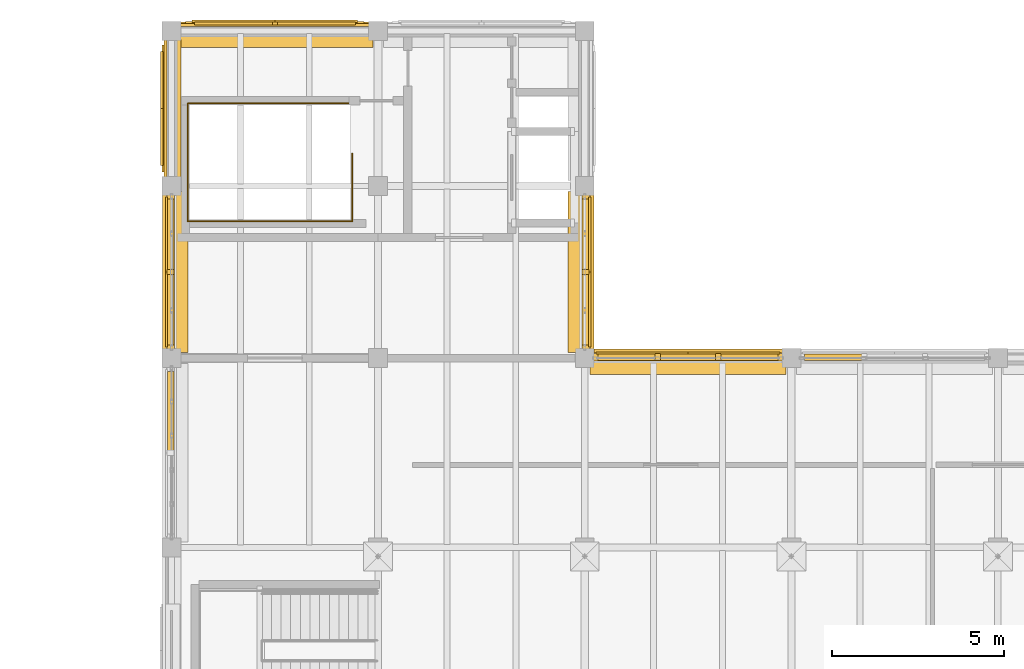
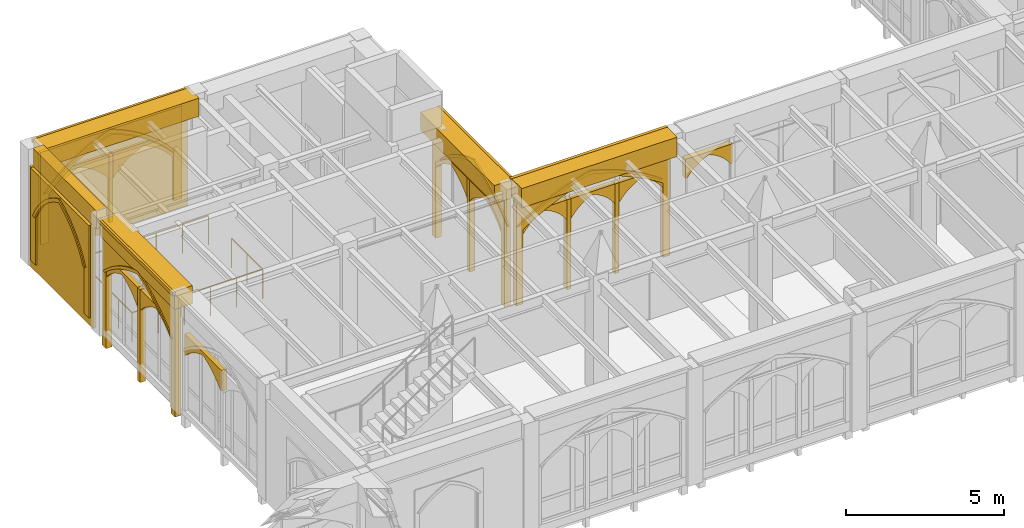
# One storey, part 91 of 108: 37 coverings, 1 railing.
"""IFC4 building model written with IfcOpenShell, lengths in metres."""

import ifcopenshell
import ifcopenshell.guid

model = None  # the IFC model being written
_history = None  # IfcOwnerHistory: only IFC2X3 demands one
_inside = {}  # id of a spatial element -> (the spatial element, [elements in it])
_under = {}  # id of a project, library or spatial element -> (it, [spatial elements below it])
_declared = {}  # id of a project -> (the project, [libraries it declares])
_typed = {}  # id of a type object -> (the type object, [elements of that type])
_made_of = {}  # id of a material, layer set ... -> (it, [elements and type objects made of it])


def new_model(schema):
    """Start an empty IFC model of exactly this schema.

    Asked for "IFC4X3", IfcOpenShell would pick the latest addendum, in which some entities
    have other attributes; the version numbers below select the first issue.
    IFC2X3 requires an IfcOwnerHistory on every rooted entity: one is made here for all.
    """
    global model, _history
    if schema == "IFC4X3":
        model = ifcopenshell.file(schema_version=(4, 3, 0, 0))
    else:
        model = ifcopenshell.file(schema=schema)
    _inside.clear()
    _under.clear()
    _declared.clear()
    _typed.clear()
    _made_of.clear()
    _history = None
    if model.schema == "IFC2X3":
        org = make("IfcOrganization", Name="unknown")
        user = make(
            "IfcPersonAndOrganization",
            ThePerson=make("IfcPerson", FamilyName="unknown"),
            TheOrganization=org,
        )
        app = make(
            "IfcApplication",
            ApplicationDeveloper=org,
            Version="unknown",
            ApplicationFullName="unknown",
            ApplicationIdentifier="unknown",
        )
        _history = make(
            "IfcOwnerHistory",
            OwningUser=user,
            OwningApplication=app,
            ChangeAction="ADDED",
            CreationDate=0,
        )
    return model


def make(cls, **values):
    """One entity of the class cls with the attributes given. An attribute that is None is left unset."""
    return model.create_entity(
        cls, **{name: value for name, value in values.items() if value is not None}
    )


def rooted(cls, **values):
    """An entity with a GlobalId (a new one), such as an element, a storey or a relation."""
    return make(cls, GlobalId=ifcopenshell.guid.new(), OwnerHistory=_history, **values)


def si_unit(unit_type, name, prefix=None):
    """IfcSIUnit, for example si_unit("LENGTHUNIT", "METRE", prefix="MILLI")."""
    return make("IfcSIUnit", UnitType=unit_type, Prefix=prefix, Name=name)


def assignment(units):
    """IfcUnitAssignment: the units of a project."""
    return None if units is None else make("IfcUnitAssignment", Units=units)


def point(xyz):
    """IfcCartesianPoint."""
    return None if xyz is None else make("IfcCartesianPoint", Coordinates=xyz)


def direction(xyz):
    """IfcDirection."""
    return None if xyz is None else make("IfcDirection", DirectionRatios=xyz)


def frame(location, z_axis=None, x_axis=None):
    """IfcAxis2Placement3D, a coordinate frame: its origin and axes. An axis left out is left unset."""
    return make(
        "IfcAxis2Placement3D",
        Location=point(location),
        Axis=direction(z_axis),
        RefDirection=direction(x_axis),
    )


def frame_2d(location, x_axis=None):
    """IfcAxis2Placement2D, a coordinate frame in the plane: its origin and x axis."""
    return make(
        "IfcAxis2Placement2D", Location=point(location), RefDirection=direction(x_axis)
    )


def origin():
    """The frame at (0, 0, 0) with its axes left unset."""
    return frame((0.0, 0.0, 0.0))


def origin_2d():
    """The frame at (0, 0) in the plane with its x axis left unset."""
    return frame_2d((0.0, 0.0))


def place(relative_to, where):
    """IfcLocalPlacement: puts the frame where relative to a parent placement (None: the world)."""
    return make(
        "IfcLocalPlacement", PlacementRelTo=relative_to, RelativePlacement=where
    )


def context(
    kind, dimensions, precision=None, world=None, true_north=None, identifier=None
):
    """IfcGeometricRepresentationContext, for example the 3D "Model" context."""
    return make(
        "IfcGeometricRepresentationContext",
        ContextIdentifier=identifier,
        ContextType=kind,
        CoordinateSpaceDimension=dimensions,
        Precision=precision,
        WorldCoordinateSystem=world,
        TrueNorth=true_north,
    )


def subcontext(parent, identifier, kind, view, scale=None):
    """IfcGeometricRepresentationSubContext, for example "Body" below "Model"."""
    return make(
        "IfcGeometricRepresentationSubContext",
        ContextIdentifier=identifier,
        ContextType=kind,
        ParentContext=parent,
        TargetScale=scale,
        TargetView=view,
    )


def project(units=None, contexts=None):
    """IfcProject with its units and contexts."""
    return rooted(
        "IfcProject",
        Name="project",
        RepresentationContexts=contexts,
        UnitsInContext=assignment(units),
    )


def spatial(cls, under=None, at=None, **own):
    """A site, building, storey or space (cls), placed at a placement, below another one or the project."""
    s = rooted(cls, ObjectPlacement=at, **own)
    if under is not None:
        _under.setdefault(under.id(), (under, []))[1].append(s)
    return s


def polyline(points):
    """IfcPolyline through the points."""
    return make("IfcPolyline", Points=[point(p) for p in points])


def profile(cls, at=None, kind="AREA", **sizes):
    """A parametric profile (cls). Its sizes go by their IFC names, for example OverallWidth=200.0."""
    return make(cls, ProfileType=kind, Position=at, **sizes)


def rectangle(**sizes):
    """IfcRectangleProfileDef."""
    return profile("IfcRectangleProfileDef", **sizes)


def circle(**sizes):
    """IfcCircleProfileDef."""
    return profile("IfcCircleProfileDef", **sizes)


def outline(outer, holes=None, kind="AREA"):
    """IfcArbitraryClosedProfileDef: a profile drawn as a closed curve; with holes, ...WithVoids."""
    if holes is None:
        return make("IfcArbitraryClosedProfileDef", ProfileType=kind, OuterCurve=outer)
    return make(
        "IfcArbitraryProfileDefWithVoids",
        ProfileType=kind,
        OuterCurve=outer,
        InnerCurves=holes,
    )


def extrude(swept, where, along, depth):
    """IfcExtrudedAreaSolid: the profile swept, set in the frame where, extruded along a direction by depth."""
    return make(
        "IfcExtrudedAreaSolid",
        SweptArea=swept,
        Position=where,
        ExtrudedDirection=direction(along),
        Depth=depth,
    )


def shape(context_of_items, identifier, shape_type, items):
    """IfcShapeRepresentation: the items that make up one representation, for example the "Body"."""
    return make(
        "IfcShapeRepresentation",
        ContextOfItems=context_of_items,
        RepresentationIdentifier=identifier,
        RepresentationType=shape_type,
        Items=items,
    )


def material(Name=None, Category=None):
    """IfcMaterial."""
    return make("IfcMaterial", Name=Name, Category=Category)


def made_of(thing, what):
    """Note that an element or type object is made of a material, layer set ...; save() writes the relation."""
    if what is not None:
        _made_of.setdefault(what.id(), (what, []))[1].append(thing)
    return thing


def type_object(cls, material=None, **own):
    """A type object (cls), such as IfcWallType, which elements share."""
    return made_of(rooted(cls, **own), material)


def element(
    cls,
    number,
    at=None,
    inside=None,
    cuts=None,
    type_object=None,
    material=None,
    context=None,
    identifier="Body",
    shape_type=None,
    held_by="IfcProductDefinitionShape",
    body=None,
    shapes=None,
    **own,
):
    """One element of the class cls, such as IfcWall. Its Tag is "e" and its number.

    at: its placement. inside: the storey or other place that contains it. cuts: it is an
    opening in that element (IfcRelVoidsElement). A single representation is given by context,
    identifier, shape_type and body (its items); several are given by shapes. held_by: the class
    of the entity that holds the representations. save() writes the other relations.
    """
    e = rooted(cls, Tag="e%d" % number, ObjectPlacement=at, **own)
    if body is not None:
        shapes = [shape(context, identifier, shape_type, body)]
    if shapes is not None:
        e.Representation = make(held_by, Representations=shapes)
    if inside is not None:
        _inside.setdefault(inside.id(), (inside, []))[1].append(e)
    if cuts is not None:
        rooted(
            "IfcRelVoidsElement", RelatingBuildingElement=cuts, RelatedOpeningElement=e
        )
    if type_object is not None:
        _typed.setdefault(type_object.id(), (type_object, []))[1].append(e)
    return made_of(e, material)


def aggregate(whole, parts):
    """IfcRelAggregates: a whole, such as a stair, and the parts it consists of."""
    return rooted("IfcRelAggregates", RelatingObject=whole, RelatedObjects=parts)


def save(model, path):
    """Write the relations noted so far, then the file.

    IfcRelAggregates (storeys below a building ...), IfcRelContainedInSpatialStructure (elements
    in a storey), IfcRelDefinesByType, IfcRelAssociatesMaterial and IfcRelDeclares: one each for
    every whole, place, type object, material and project.
    """
    for whole, parts in _under.values():
        aggregate(whole, parts)
    for where, things in _inside.values():
        rooted(
            "IfcRelContainedInSpatialStructure",
            RelatedElements=things,
            RelatingStructure=where,
        )
    for kind, things in _typed.values():
        rooted("IfcRelDefinesByType", RelatedObjects=things, RelatingType=kind)
    for what, things in _made_of.values():
        rooted("IfcRelAssociatesMaterial", RelatedObjects=things, RelatingMaterial=what)
    for by, libraries in _declared.values():
        rooted("IfcRelDeclares", RelatingContext=by, RelatedDefinitions=libraries)
    model.write(path)


model = new_model("IFC4")

# Units and contexts
model_context = context("Model", 3, precision=1e-05, world=origin(), true_north=direction((0.0, 1.0)))
body_context = subcontext(model_context, "Body", "Model", "MODEL_VIEW")
ifc_project = project(units=[si_unit("LENGTHUNIT", "METRE"), si_unit("AREAUNIT", "SQUARE_METRE"), si_unit("VOLUMEUNIT", "CUBIC_METRE"), si_unit("PLANEANGLEUNIT", "RADIAN"), si_unit("MASSUNIT", "GRAM", prefix="KILO")], contexts=[model_context])

# Site, building, storey
site_placement = place(None, origin())
site = spatial("IfcSite", under=ifc_project, at=site_placement, CompositionType="ELEMENT")
building_placement = place(site_placement, origin())
building = spatial("IfcBuilding", under=site, at=building_placement, Name="Cumevento Cable Car Station", CompositionType="ELEMENT")
storey_placement = place(building_placement, frame((0.0, 0.0, 13.5)))
storey = spatial("IfcBuildingStorey", under=building, at=storey_placement, Name="L04", CompositionType="ELEMENT", Elevation=13.5)

# Railing
ifc_material_1 = material(Name="Painted Galvanised Architectural Steel", Category="steel")
railing_type = type_object("IfcRailingType", Name="Stair Guardrail GR-S115", PredefinedType="GUARDRAIL", material=ifc_material_1)
railing_placement = place(storey_placement, frame((27.25, 62.43994140625, 0.0)))
element("IfcRailing", 1, at=railing_placement, inside=storey, type_object=railing_type, Name="Stairwell Opening Rim Guard ST-04-L03 L04", PredefinedType="GUARDRAIL", context=body_context, shape_type="SweptSolid", body=[
    extrude(circle(Radius=0.02392578125, at=origin_2d()), frame((0.0, 0.0, 1.1259765625), z_axis=(0.0, -1.0, 0.0), x_axis=(1.0, 0.0, 0.0)), (0.0, 0.0, 1.0), 1.969970703125),
    extrude(circle(Radius=0.02392578125, at=origin_2d()), frame((0.0, -1.969970703125, 1.1259765625), z_axis=(-1.0, 0.0, 0.0), x_axis=(0.0, -1.0, 0.0)), (0.0, 0.0, 1.0), 4.780029296875),
    extrude(circle(Radius=0.02392578125, at=origin_2d()), frame((-4.780029296875, -1.969970703125, 1.1259765625), z_axis=(0.0, 1.0, 0.0), x_axis=(-1.0, 0.0, 0.0)), (0.0, 0.0, 1.0), 3.429931640625),
    extrude(circle(Radius=0.02392578125, at=origin_2d()), frame((-4.780029296875, 1.4599609375, 1.1259765625), z_axis=(1.0, 0.0, 0.0), x_axis=(0.0, 1.0, 0.0)), (0.0, 0.0, 1.0), 4.780029296875),
    extrude(circle(Radius=0.02001953125, at=origin_2d()), origin(), (0.0, 0.0, 1.0), 1.101806640625),
    extrude(circle(Radius=0.02001953125, at=origin_2d()), frame((0.0, -0.98486328125, 0.0)), (0.0, 0.0, 1.0), 1.101806640625),
    extrude(circle(Radius=0.02001953125, at=origin_2d()), frame((0.0, -1.969970703125, 0.0)), (0.0, 0.0, 1.0), 1.101806640625),
    extrude(circle(Radius=0.02001953125, at=origin_2d()), frame((-0.9560546875, -1.969970703125, 0.0)), (0.0, 0.0, 1.0), 1.101806640625),
    extrude(circle(Radius=0.02001953125, at=origin_2d()), frame((-1.912109375, -1.969970703125, 0.0)), (0.0, 0.0, 1.0), 1.101806640625),
    extrude(circle(Radius=0.02001953125, at=origin_2d()), frame((-2.867919921875, -1.969970703125, 0.0)), (0.0, 0.0, 1.0), 1.101806640625),
    extrude(circle(Radius=0.02001953125, at=origin_2d()), frame((-3.823974609375, -1.969970703125, 0.0)), (0.0, 0.0, 1.0), 1.101806640625),
    extrude(circle(Radius=0.02001953125, at=origin_2d()), frame((-4.780029296875, -1.969970703125, 0.0)), (0.0, 0.0, 1.0), 1.101806640625),
    extrude(circle(Radius=0.02001953125, at=origin_2d()), frame((-4.780029296875, -1.112548828125, 0.0)), (0.0, 0.0, 1.0), 1.101806640625),
    extrude(circle(Radius=0.02001953125, at=origin_2d()), frame((-4.780029296875, -0.2548828125, 0.0)), (0.0, 0.0, 1.0), 1.101806640625),
    extrude(circle(Radius=0.02001953125, at=origin_2d()), frame((-4.780029296875, 0.6025390625, 0.0)), (0.0, 0.0, 1.0), 1.101806640625),
    extrude(circle(Radius=0.02001953125, at=origin_2d()), frame((-4.780029296875, 1.4599609375, 0.0)), (0.0, 0.0, 1.0), 1.101806640625),
    extrude(circle(Radius=0.02001953125, at=origin_2d()), frame((-3.823974609375, 1.4599609375, 0.0)), (0.0, 0.0, 1.0), 1.101806640625),
    extrude(circle(Radius=0.02001953125, at=origin_2d()), frame((-2.867919921875, 1.4599609375, 0.0)), (0.0, 0.0, 1.0), 1.101806640625),
    extrude(circle(Radius=0.02001953125, at=origin_2d()), frame((-1.912109375, 1.4599609375, 0.0)), (0.0, 0.0, 1.0), 1.101806640625),
    extrude(circle(Radius=0.02001953125, at=origin_2d()), frame((-0.9560546875, 1.4599609375, 0.0)), (0.0, 0.0, 1.0), 1.101806640625),
    extrude(circle(Radius=0.02001953125, at=origin_2d()), frame((0.0, 1.4599609375, 0.0)), (0.0, 0.0, 1.0), 1.101806640625),
])

# Coverings
ifc_material_2 = material(Name="Gnaisse Facoidal Stone Ashlar 85 MPa", Category="masonry")
covering_type = type_object("IfcCoveringType", Name="Gnaisse Ashlar Cladding CV-CL01", PredefinedType="CLADDING", material=ifc_material_2)
covering_1_placement = place(storey_placement, frame((37.0, 56.35009765625, 3.782958984375), z_axis=(0.0, 0.0, 1.0), x_axis=(1.0, 0.0, 0.0)))
element("IfcCovering", 2, at=covering_1_placement, inside=storey, type_object=covering_type, Name="Gothic Stone Spandrel Stringcourse sc:0721", PredefinedType="CLADDING", context=body_context, shape_type="SweptSolid", body=[
    extrude(rectangle(XDim=5.68994140625, YDim=0.659912109375, at=origin_2d()), origin(), (0.0, 0.0, 1.0), 0.7470703125),
])
covering_2_placement = place(storey_placement, frame((37.0, 56.70751953125, 4.400146484375), z_axis=(0.0, 0.0, 1.0), x_axis=(1.0, 0.0, 0.0)))
element("IfcCovering", 3, at=covering_2_placement, inside=storey, type_object=covering_type, Name="Gothic Cornice Dripstone Lip sc:0721", PredefinedType="CLADDING", context=body_context, shape_type="SweptSolid", body=[
    extrude(rectangle(XDim=5.72998046875, YDim=0.114990234375, at=origin_2d()), origin(), (0.0, 0.0, 1.0), 0.1298828125),
])
covering_3_placement = place(storey_placement, frame((25.0, 65.85009765625, 3.783203125), z_axis=(0.0, 0.0, 1.0), x_axis=(1.0, 0.0, 0.0)))
element("IfcCovering", 4, at=covering_3_placement, inside=storey, type_object=covering_type, Name="Gothic Stone Spandrel Stringcourse sc:0726", PredefinedType="CLADDING", context=body_context, shape_type="SweptSolid", body=[
    extrude(rectangle(XDim=5.68994140625, YDim=0.659912109375, at=origin_2d()), origin(), (0.0, 0.0, 1.0), 0.697021484375),
])
covering_4_placement = place(storey_placement, frame((25.0, 66.20751953125, 4.35009765625), z_axis=(0.0, 0.0, 1.0), x_axis=(1.0, 0.0, 0.0)))
element("IfcCovering", 5, at=covering_4_placement, inside=storey, type_object=covering_type, Name="Gothic Cornice Dripstone Lip sc:0726", PredefinedType="CLADDING", context=body_context, shape_type="SweptSolid", body=[
    extrude(rectangle(XDim=5.72998046875, YDim=0.114990234375, at=origin_2d()), origin(), (0.0, 0.0, 1.0), 0.1298828125),
])
covering_5_placement = place(storey_placement, frame((22.14990234375, 59.0, 3.783203125), z_axis=(0.0, 0.0, 1.0), x_axis=(0.0, 1.0, 0.0)))
element("IfcCovering", 6, at=covering_5_placement, inside=storey, type_object=covering_type, Name="Gothic Stone Spandrel Stringcourse sc:0728", PredefinedType="CLADDING", context=body_context, shape_type="SweptSolid", body=[
    extrude(rectangle(XDim=4.68994140625, YDim=0.659912109375, at=origin_2d()), origin(), (0.0, 0.0, 1.0), 0.697021484375),
])
covering_6_placement = place(storey_placement, frame((21.79248046875, 59.0, 4.35009765625), z_axis=(0.0, 0.0, 1.0), x_axis=(0.0, 1.0, 0.0)))
element("IfcCovering", 7, at=covering_6_placement, inside=storey, type_object=covering_type, Name="Gothic Cornice Dripstone Lip sc:0728", PredefinedType="CLADDING", context=body_context, shape_type="SweptSolid", body=[
    extrude(rectangle(XDim=4.72998046875, YDim=0.114990234375, at=origin_2d()), origin(), (0.0, 0.0, 1.0), 0.1298828125),
])
covering_7_placement = place(storey_placement, frame((22.090087890625, 63.75, 3.783203125), z_axis=(0.0, 0.0, 1.0), x_axis=(0.0, 1.0, 0.0)))
element("IfcCovering", 8, at=covering_7_placement, inside=storey, type_object=covering_type, Name="Gothic Stone Spandrel Stringcourse sc:0729", PredefinedType="CLADDING", context=body_context, shape_type="SweptSolid", body=[
    extrude(rectangle(XDim=4.010009765625, YDim=0.3798828125, at=origin_2d()), origin(), (0.0, 0.0, 1.0), 0.697021484375),
])
covering_8_placement = place(storey_placement, frame((33.85009765625, 59.0, 3.783203125), z_axis=(0.0, 0.0, 1.0), x_axis=(0.0, -1.0, 0.0)))
element("IfcCovering", 9, at=covering_8_placement, inside=storey, type_object=covering_type, Name="Gothic Stone Spandrel Stringcourse sc:0730", PredefinedType="CLADDING", context=body_context, shape_type="SweptSolid", body=[
    extrude(rectangle(XDim=4.68994140625, YDim=0.659912109375, at=origin_2d()), origin(), (0.0, 0.0, 1.0), 0.697021484375),
])
covering_9_placement = place(storey_placement, frame((34.20751953125, 59.0, 4.35009765625), z_axis=(0.0, 0.0, 1.0), x_axis=(0.0, -1.0, 0.0)))
element("IfcCovering", 10, at=covering_9_placement, inside=storey, type_object=covering_type, Name="Gothic Cornice Dripstone Lip sc:0730", PredefinedType="CLADDING", context=body_context, shape_type="SweptSolid", body=[
    extrude(rectangle(XDim=4.72998046875, YDim=0.114990234375, at=origin_2d()), origin(), (0.0, 0.0, 1.0), 0.1298828125),
])
placement_1 = place(storey_placement, frame((34.27490234375, 56.5, -0.27001953125), z_axis=(0.0, 0.0, 1.0), x_axis=(1.0, 0.0, 0.0)))
element("IfcCovering", 11, at=placement_1, inside=storey, type_object=covering_type, Name="Gothic Ogival Pointed-Arch Stone Spandrel cw_ogival:0157", PredefinedType="CLADDING", context=body_context, shape_type="SweptSolid", body=[
    extrude(outline(polyline([(-0.080078125, 0.0), (-0.080078125, 4.193115234375), (5.530029296875, 4.193115234375), (5.530029296875, 0.0), (5.2900390625, 0.0), (5.2900390625, 2.877197265625), (4.994873046875, 3.068603515625), (4.691162109375, 3.245849609375), (4.37939453125, 3.40869140625), (4.060302734375, 3.556396484375), (3.734619140625, 3.689208984375), (3.40283203125, 3.806396484375), (3.066162109375, 3.90771484375), (2.72509765625, 3.9931640625), (2.3837890625, 3.90771484375), (2.047119140625, 3.806396484375), (1.71533203125, 3.689208984375), (1.3896484375, 3.556396484375), (1.070556640625, 3.40869140625), (0.7587890625, 3.245849609375), (0.455078125, 3.068603515625), (0.159912109375, 2.877197265625), (0.159912109375, 0.0), (-0.080078125, 0.0)])), frame((0.0, 0.139892578125, 0.0), z_axis=(0.0, -1.0, 0.0), x_axis=(1.0, 0.0, 0.0)), (0.0, 0.0, 1.0), 0.219970703125),
])
covering_11_placement = place(storey_placement, frame((34.27490234375, 56.5, 2.607177734375), z_axis=(0.0, 0.0, 1.0), x_axis=(1.0, 0.0, 0.0)))
element("IfcCovering", 12, at=covering_11_placement, inside=storey, type_object=covering_type, Name="Gothic Pointed Archivolt Hood Moulding cw_ogival:0157", PredefinedType="CLADDING", context=body_context, shape_type="SweptSolid", body=[
    extrude(outline(polyline([(0.159912109375, 0.0), (0.455078125, 0.19140625), (0.7587890625, 0.36865234375), (1.070556640625, 0.531494140625), (1.3896484375, 0.679443359375), (1.71533203125, 0.81201171875), (2.047119140625, 0.92919921875), (2.3837890625, 1.030517578125), (2.72509765625, 1.115966796875), (3.066162109375, 1.030517578125), (3.40283203125, 0.92919921875), (3.734619140625, 0.81201171875), (4.060302734375, 0.679443359375), (4.37939453125, 0.531494140625), (4.691162109375, 0.36865234375), (4.994873046875, 0.19140625), (5.2900390625, 0.0), (5.39990234375, 0.0), (5.09619140625, 0.21435546875), (4.781982421875, 0.4130859375), (4.458251953125, 0.595703125), (4.125732421875, 0.761962890625), (3.785400390625, 0.9111328125), (3.437744140625, 1.04296875), (3.083984375, 1.1572265625), (2.72509765625, 1.25341796875), (2.365966796875, 1.1572265625), (2.01220703125, 1.04296875), (1.66455078125, 0.9111328125), (1.32421875, 0.761962890625), (0.99169921875, 0.595703125), (0.66796875, 0.4130859375), (0.353759765625, 0.21435546875), (0.050048828125, 0.0), (0.159912109375, 0.0)])), frame((0.0, 0.181884765625, 0.0), z_axis=(0.0, -1.0, 0.0), x_axis=(1.0, 0.0, 0.0)), (0.0, 0.0, 1.0), 0.06689453125),
])
element("IfcCovering", 13, at=placement_1, inside=storey, type_object=covering_type, Name="Gothic Bifora Stone Colonnette cw_ogival:0157 #1", PredefinedType="CLADDING", context=body_context, shape_type="SweptSolid", body=[
    extrude(outline(polyline([(1.77001953125, -0.02001953125), (1.919921875, -0.02001953125), (1.919921875, 3.45751953125), (1.77001953125, 3.45751953125), (1.77001953125, -0.02001953125)])), frame((0.0, 0.1279296875, 0.0), z_axis=(0.0, -1.0, 0.0), x_axis=(1.0, 0.0, 0.0)), (0.0, 0.0, 1.0), 0.205078125),
])
element("IfcCovering", 14, at=placement_1, inside=storey, type_object=covering_type, Name="Gothic Bifora Stone Colonnette cw_ogival:0157 #2", PredefinedType="CLADDING", context=body_context, shape_type="SweptSolid", body=[
    extrude(outline(polyline([(3.530029296875, -0.02001953125), (3.679931640625, -0.02001953125), (3.679931640625, 3.45751953125), (3.530029296875, 3.45751953125), (3.530029296875, -0.02001953125)])), frame((0.0, 0.1279296875, 0.0), z_axis=(0.0, -1.0, 0.0), x_axis=(1.0, 0.0, 0.0)), (0.0, 0.0, 1.0), 0.205078125),
])
for number, where, z_axis, x_axis, name in (
    (15, (34.405029296875, 56.5, 2.427001953125), (0.0, 0.0, 1.0), (1.0, 0.0, 0.0), "Gothic Ogival Pointed-Arch Stone Spandrel cw_ogival:0157:sub:0"),
    (16, (36.1650390625, 56.5, 2.427001953125), (0.0, 0.0, 1.0), (1.0, 0.0, 0.0), "Gothic Ogival Pointed-Arch Stone Spandrel cw_ogival:0157:sub:1"),
    (17, (37.925048828125, 56.5, 2.427001953125), (0.0, 0.0, 1.0), (1.0, 0.0, 0.0), "Gothic Ogival Pointed-Arch Stone Spandrel cw_ogival:0157:sub:2"),
):
    element("IfcCovering", number, at=place(storey_placement, frame(where, z_axis=z_axis, x_axis=x_axis)), inside=storey, type_object=covering_type, Name=name, PredefinedType="CLADDING", context=body_context, shape_type="SweptSolid", body=[
        extrude(outline(polyline([(-0.02001953125, 0.0), (-0.02001953125, 0.76025390625), (1.68994140625, 0.76025390625), (1.68994140625, 0.0), (1.6298828125, 0.0), (1.527587890625, 0.139404296875), (1.41162109375, 0.267333984375), (1.28271484375, 0.382568359375), (1.142578125, 0.48388671875), (0.992919921875, 0.570068359375), (0.8349609375, 0.640380859375), (0.677001953125, 0.570068359375), (0.52734375, 0.48388671875), (0.38720703125, 0.382568359375), (0.25830078125, 0.267333984375), (0.142333984375, 0.139404296875), (0.0400390625, 0.0), (-0.02001953125, 0.0)])), frame((0.0, 0.1240234375, 0.0), z_axis=(0.0, -1.0, 0.0), x_axis=(1.0, 0.0, 0.0)), (0.0, 0.0, 1.0), 0.199951171875),
    ])
covering_14_placement = place(storey_placement, frame((40.405029296875, 56.5, 2.490966796875), z_axis=(0.0, 0.0, 1.0), x_axis=(1.0, 0.0, 0.0)))
element("IfcCovering", 18, at=covering_14_placement, inside=storey, type_object=covering_type, Name="Gothic Ogival Pointed-Arch Stone Spandrel cw_ogival:0159:sub:0", PredefinedType="CLADDING", context=body_context, shape_type="SweptSolid", body=[
    extrude(outline(polyline([(-0.02001953125, 0.0), (-0.02001953125, 0.746826171875), (1.68994140625, 0.746826171875), (1.68994140625, 0.0), (1.6298828125, 0.0), (1.526611328125, 0.13671875), (1.409912109375, 0.26220703125), (1.281005859375, 0.375), (1.14111328125, 0.473876953125), (0.991943359375, 0.558349609375), (0.8349609375, 0.626708984375), (0.677978515625, 0.558349609375), (0.52880859375, 0.473876953125), (0.388916015625, 0.375), (0.260009765625, 0.26220703125), (0.143310546875, 0.13671875), (0.0400390625, 0.0), (-0.02001953125, 0.0)])), frame((0.0, 0.1240234375, 0.0), z_axis=(0.0, -1.0, 0.0), x_axis=(1.0, 0.0, 0.0)), (0.0, 0.0, 1.0), 0.199951171875),
])
covering_15_placement = place(storey_placement, frame((22.0, 53.794921875, 2.35498046875), z_axis=(0.0, 0.0, 1.0), x_axis=(0.0, 1.0, 0.0)))
element("IfcCovering", 19, at=covering_15_placement, inside=storey, type_object=covering_type, Name="Gothic Ogival Pointed-Arch Stone Spandrel cw_ogival:0161:sub:1", PredefinedType="CLADDING", context=body_context, shape_type="SweptSolid", body=[
    extrude(outline(polyline([(-0.02001953125, 0.0), (-0.02001953125, 0.797607421875), (2.320068359375, 0.797607421875), (2.320068359375, 0.0), (2.260009765625, 0.0), (2.10107421875, 0.150634765625), (1.929931640625, 0.287353515625), (1.748046875, 0.4091796875), (1.556396484375, 0.515380859375), (1.356689453125, 0.60498046875), (1.14990234375, 0.677734375), (0.943359375, 0.60498046875), (0.74365234375, 0.515380859375), (0.552001953125, 0.4091796875), (0.3701171875, 0.287353515625), (0.198974609375, 0.150634765625), (0.0400390625, 0.0), (-0.02001953125, 0.0)])), frame((0.0, 0.1240234375, 0.0), z_axis=(0.0, -1.0, 0.0), x_axis=(1.0, 0.0, 0.0)), (0.0, 0.0, 1.0), 0.199951171875),
])
placement_2 = place(storey_placement, frame((22.0, 56.77490234375, -0.419921875), z_axis=(0.0, 0.0, 1.0), x_axis=(0.0, 1.0, 0.0)))
element("IfcCovering", 20, at=placement_2, inside=storey, type_object=covering_type, Name="Gothic Ogival Pointed-Arch Stone Spandrel cw_ogival:0162", PredefinedType="CLADDING", context=body_context, shape_type="SweptSolid", body=[
    extrude(outline(polyline([(-0.080078125, 0.0), (-0.080078125, 4.343017578125), (4.530029296875, 4.343017578125), (4.530029296875, 0.0), (4.2900390625, 0.0), (4.2900390625, 2.97314453125), (4.0654296875, 3.171142578125), (3.82958984375, 3.355712890625), (3.583251953125, 3.52587890625), (3.3271484375, 3.68115234375), (3.062255859375, 3.82080078125), (2.789794921875, 3.94482421875), (2.51025390625, 4.05224609375), (2.22509765625, 4.14306640625), (1.939697265625, 4.05224609375), (1.66015625, 3.94482421875), (1.3876953125, 3.82080078125), (1.122802734375, 3.68115234375), (0.86669921875, 3.52587890625), (0.620361328125, 3.355712890625), (0.384521484375, 3.171142578125), (0.159912109375, 2.97314453125), (0.159912109375, 0.0), (-0.080078125, 0.0)])), frame((0.0, 0.139892578125, 0.0), z_axis=(0.0, -1.0, 0.0), x_axis=(1.0, 0.0, 0.0)), (0.0, 0.0, 1.0), 0.219970703125),
])
covering_17_placement = place(storey_placement, frame((22.0, 56.77490234375, 2.552978515625), z_axis=(0.0, 0.0, 1.0), x_axis=(0.0, 1.0, 0.0)))
element("IfcCovering", 21, at=covering_17_placement, inside=storey, type_object=covering_type, Name="Gothic Pointed Archivolt Hood Moulding cw_ogival:0162", PredefinedType="CLADDING", context=body_context, shape_type="SweptSolid", body=[
    extrude(outline(polyline([(0.159912109375, 0.0), (0.384521484375, 0.197998046875), (0.620361328125, 0.382568359375), (0.86669921875, 0.552734375), (1.122802734375, 0.7080078125), (1.3876953125, 0.84765625), (1.66015625, 0.9716796875), (1.939697265625, 1.0791015625), (2.22509765625, 1.169921875), (2.51025390625, 1.0791015625), (2.789794921875, 0.9716796875), (3.062255859375, 0.84765625), (3.3271484375, 0.7080078125), (3.583251953125, 0.552734375), (3.82958984375, 0.382568359375), (4.0654296875, 0.197998046875), (4.2900390625, 0.0), (4.39990234375, 0.0), (4.16748046875, 0.220458984375), (3.921630859375, 0.42626953125), (3.66357421875, 0.6162109375), (3.394287109375, 0.789794921875), (3.114501953125, 0.9462890625), (2.82568359375, 1.0849609375), (2.52880859375, 1.20556640625), (2.22509765625, 1.307373046875), (1.921142578125, 1.20556640625), (1.624267578125, 1.0849609375), (1.33544921875, 0.9462890625), (1.0556640625, 0.789794921875), (0.786376953125, 0.6162109375), (0.5283203125, 0.42626953125), (0.282470703125, 0.220458984375), (0.050048828125, 0.0), (0.159912109375, 0.0)])), frame((0.0, 0.181884765625, 0.0), z_axis=(0.0, -1.0, 0.0), x_axis=(1.0, 0.0, 0.0)), (0.0, 0.0, 1.0), 0.06689453125),
])
element("IfcCovering", 22, at=placement_2, inside=storey, type_object=covering_type, Name="Gothic Bifora Stone Colonnette cw_ogival:0162 #1", PredefinedType="CLADDING", context=body_context, shape_type="SweptSolid", body=[
    extrude(outline(polyline([(2.14990234375, -0.02001953125), (2.300048828125, -0.02001953125), (2.300048828125, 3.581298828125), (2.14990234375, 3.581298828125), (2.14990234375, -0.02001953125)])), frame((0.0, 0.1279296875, 0.0), z_axis=(0.0, -1.0, 0.0), x_axis=(1.0, 0.0, 0.0)), (0.0, 0.0, 1.0), 0.205078125),
])
for number, where, z_axis, x_axis, name in (
    (23, (22.0, 56.905029296875, 2.373046875), (0.0, 0.0, 1.0), (0.0, 1.0, 0.0), "Gothic Ogival Pointed-Arch Stone Spandrel cw_ogival:0162:sub:0"),
    (24, (22.0, 59.044921875, 2.373046875), (0.0, 0.0, 1.0), (0.0, 1.0, 0.0), "Gothic Ogival Pointed-Arch Stone Spandrel cw_ogival:0162:sub:1"),
):
    element("IfcCovering", number, at=place(storey_placement, frame(where, z_axis=z_axis, x_axis=x_axis)), inside=storey, type_object=covering_type, Name=name, PredefinedType="CLADDING", context=body_context, shape_type="SweptSolid", body=[
        extrude(outline(polyline([(-0.02001953125, 0.0), (-0.02001953125, 0.788330078125), (2.070068359375, 0.788330078125), (2.070068359375, 0.0), (2.010009765625, 0.0), (1.873779296875, 0.1474609375), (1.724609375, 0.281982421875), (1.563720703125, 0.402099609375), (1.392578125, 0.507080078125), (1.21240234375, 0.59619140625), (1.02490234375, 0.668212890625), (0.837646484375, 0.59619140625), (0.657470703125, 0.507080078125), (0.486328125, 0.402099609375), (0.325439453125, 0.281982421875), (0.17626953125, 0.1474609375), (0.0400390625, 0.0), (-0.02001953125, 0.0)])), frame((0.0, 0.1240234375, 0.0), z_axis=(0.0, -1.0, 0.0), x_axis=(1.0, 0.0, 0.0)), (0.0, 0.0, 1.0), 0.199951171875),
    ])
placement_3 = place(storey_placement, frame((34.0, 61.22509765625, -0.3701171875), z_axis=(0.0, 0.0, 1.0), x_axis=(0.0, -1.0, 0.0)))
element("IfcCovering", 25, at=placement_3, inside=storey, type_object=covering_type, Name="Gothic Ogival Pointed-Arch Stone Spandrel cw_ogival:0163", PredefinedType="CLADDING", context=body_context, shape_type="SweptSolid", body=[
    extrude(outline(polyline([(-0.080078125, 0.0), (-0.080078125, 4.29296875), (4.530029296875, 4.29296875), (4.530029296875, 0.0), (4.2900390625, 0.0), (4.2900390625, 2.941162109375), (4.064453125, 3.136474609375), (3.827880859375, 3.318115234375), (3.581298828125, 3.485595703125), (3.3251953125, 3.638427734375), (3.060546875, 3.776123046875), (2.788330078125, 3.89794921875), (2.509521484375, 4.003662109375), (2.22509765625, 4.093017578125), (1.9404296875, 4.003662109375), (1.66162109375, 3.89794921875), (1.389404296875, 3.776123046875), (1.124755859375, 3.638427734375), (0.86865234375, 3.485595703125), (0.6220703125, 3.318115234375), (0.385498046875, 3.136474609375), (0.159912109375, 2.941162109375), (0.159912109375, 0.0), (-0.080078125, 0.0)])), frame((0.0, 0.139892578125, 0.0), z_axis=(0.0, -1.0, 0.0), x_axis=(1.0, 0.0, 0.0)), (0.0, 0.0, 1.0), 0.219970703125),
])
covering_20_placement = place(storey_placement, frame((34.0, 61.22509765625, 2.571044921875), z_axis=(0.0, 0.0, 1.0), x_axis=(0.0, -1.0, 0.0)))
element("IfcCovering", 26, at=covering_20_placement, inside=storey, type_object=covering_type, Name="Gothic Pointed Archivolt Hood Moulding cw_ogival:0163", PredefinedType="CLADDING", context=body_context, shape_type="SweptSolid", body=[
    extrude(outline(polyline([(0.159912109375, 0.0), (0.385498046875, 0.1953125), (0.6220703125, 0.376953125), (0.86865234375, 0.54443359375), (1.124755859375, 0.697265625), (1.389404296875, 0.8349609375), (1.66162109375, 0.956787109375), (1.9404296875, 1.0625), (2.22509765625, 1.15185546875), (2.509521484375, 1.0625), (2.788330078125, 0.956787109375), (3.060546875, 0.8349609375), (3.3251953125, 0.697265625), (3.581298828125, 0.54443359375), (3.827880859375, 0.376953125), (4.064453125, 0.1953125), (4.2900390625, 0.0), (4.39990234375, 0.0), (4.16650390625, 0.2177734375), (3.920166015625, 0.420654296875), (3.66162109375, 0.608154296875), (3.39208984375, 0.779296875), (3.11279296875, 0.93359375), (2.82421875, 1.0703125), (2.528076171875, 1.18896484375), (2.22509765625, 1.289306640625), (1.921875, 1.18896484375), (1.625732421875, 1.0703125), (1.337158203125, 0.93359375), (1.057861328125, 0.779296875), (0.788330078125, 0.608154296875), (0.52978515625, 0.420654296875), (0.283447265625, 0.2177734375), (0.050048828125, 0.0), (0.159912109375, 0.0)])), frame((0.0, 0.181884765625, 0.0), z_axis=(0.0, -1.0, 0.0), x_axis=(1.0, 0.0, 0.0)), (0.0, 0.0, 1.0), 0.06689453125),
])
element("IfcCovering", 27, at=placement_3, inside=storey, type_object=covering_type, Name="Gothic Bifora Stone Colonnette cw_ogival:0163 #1", PredefinedType="CLADDING", context=body_context, shape_type="SweptSolid", body=[
    extrude(outline(polyline([(2.14990234375, -0.02001953125), (2.300048828125, -0.02001953125), (2.300048828125, 3.5400390625), (2.14990234375, 3.5400390625), (2.14990234375, -0.02001953125)])), frame((0.0, 0.1279296875, 0.0), z_axis=(0.0, -1.0, 0.0), x_axis=(1.0, 0.0, 0.0)), (0.0, 0.0, 1.0), 0.205078125),
])
for number, where, z_axis, x_axis, name in (
    (28, (34.0, 61.094970703125, 2.39111328125), (0.0, 0.0, 1.0), (0.0, -1.0, 0.0), "Gothic Ogival Pointed-Arch Stone Spandrel cw_ogival:0163:sub:0"),
    (29, (34.0, 58.955078125, 2.39111328125), (0.0, 0.0, 1.0), (0.0, -1.0, 0.0), "Gothic Ogival Pointed-Arch Stone Spandrel cw_ogival:0163:sub:1"),
):
    element("IfcCovering", number, at=place(storey_placement, frame(where, z_axis=z_axis, x_axis=x_axis)), inside=storey, type_object=covering_type, Name=name, PredefinedType="CLADDING", context=body_context, shape_type="SweptSolid", body=[
        extrude(outline(polyline([(-0.02001953125, 0.0), (-0.02001953125, 0.779052734375), (2.070068359375, 0.779052734375), (2.070068359375, 0.0), (2.010009765625, 0.0), (1.873046875, 0.1455078125), (1.723388671875, 0.278076171875), (1.5625, 0.396728515625), (1.3916015625, 0.500244140625), (1.2119140625, 0.587890625), (1.02490234375, 0.658935546875), (0.838134765625, 0.587890625), (0.658447265625, 0.500244140625), (0.487548828125, 0.396728515625), (0.32666015625, 0.278076171875), (0.177001953125, 0.1455078125), (0.0400390625, 0.0), (-0.02001953125, 0.0)])), frame((0.0, 0.1240234375, 0.0), z_axis=(0.0, -1.0, 0.0), x_axis=(1.0, 0.0, 0.0)), (0.0, 0.0, 1.0), 0.199951171875),
    ])
covering_22_placement = place(storey_placement, frame((22.27490234375, 66.0, 0.0), z_axis=(0.0, 0.0, 1.0), x_axis=(1.0, 0.0, 0.0)))
element("IfcCovering", 30, at=covering_22_placement, inside=storey, type_object=covering_type, Name="Exterior Gnaisse Stone Wall Ashlar #273", PredefinedType="CLADDING", context=body_context, shape_type="SweptSolid", body=[
    extrude(outline(polyline([(-0.0400390625, -0.02001953125), (5.489990234375, -0.02001953125), (5.489990234375, 3.863037109375), (-0.0400390625, 3.863037109375), (-0.0400390625, -0.02001953125)])), frame((0.0, 0.222412109375, 0.0), z_axis=(0.0, -1.0, 0.0), x_axis=(1.0, 0.0, 0.0)), (0.0, 0.0, 1.0), 0.0849609375),
])
placement_4 = place(storey_placement, frame((22.455078125, 66.0, 0.300048828125), z_axis=(0.0, 0.0, 1.0), x_axis=(1.0, 0.0, 0.0)))
element("IfcCovering", 31, at=placement_4, inside=storey, type_object=covering_type, Name="Gothic Ogival Pointed-Arch Stone Spandrel blind_ogival:0273", PredefinedType="CLADDING", context=body_context, shape_type="SweptSolid", body=[
    extrude(outline(polyline([(-0.050048828125, 0.0), (-0.050048828125, 3.5830078125), (5.139892578125, 3.5830078125), (5.139892578125, 0.0), (4.830078125, 0.0), (4.830078125, 1.85205078125), (4.558349609375, 2.14013671875), (4.265380859375, 2.406494140625), (3.952880859375, 2.649658203125), (3.62255859375, 2.867919921875), (3.2763671875, 3.060302734375), (2.91650390625, 3.225830078125), (2.544921875, 3.363037109375), (2.173583984375, 3.225830078125), (1.813720703125, 3.060302734375), (1.467529296875, 2.867919921875), (1.13720703125, 2.649658203125), (0.82470703125, 2.406494140625), (0.53173828125, 2.14013671875), (0.260009765625, 1.85205078125), (0.260009765625, 0.0), (-0.050048828125, 0.0)])), frame((0.0, 0.277587890625, 0.0), z_axis=(0.0, -1.0, 0.0), x_axis=(1.0, 0.0, 0.0)), (0.0, 0.0, 1.0), 0.110107421875),
])
covering_24_placement = place(storey_placement, frame((22.455078125, 66.0, 2.152099609375), z_axis=(0.0, 0.0, 1.0), x_axis=(1.0, 0.0, 0.0)))
element("IfcCovering", 32, at=covering_24_placement, inside=storey, type_object=covering_type, Name="Gothic Pointed Archivolt Hood Moulding blind_ogival:0273", PredefinedType="CLADDING", context=body_context, shape_type="SweptSolid", body=[
    extrude(outline(polyline([(0.260009765625, 0.0), (0.53173828125, 0.2880859375), (0.82470703125, 0.554443359375), (1.13720703125, 0.797607421875), (1.467529296875, 1.015869140625), (1.813720703125, 1.208251953125), (2.173583984375, 1.373779296875), (2.544921875, 1.510986328125), (2.91650390625, 1.373779296875), (3.2763671875, 1.208251953125), (3.62255859375, 1.015869140625), (3.952880859375, 0.797607421875), (4.265380859375, 0.554443359375), (4.558349609375, 0.2880859375), (4.830078125, 0.0), (4.950927734375, 0.0), (4.669677734375, 0.31591796875), (4.364013671875, 0.6083984375), (4.0361328125, 0.875732421875), (3.68798828125, 1.1162109375), (3.32177734375, 1.328369140625), (2.940185546875, 1.5107421875), (2.544921875, 1.662109375), (2.14990234375, 1.5107421875), (1.768310546875, 1.328369140625), (1.402099609375, 1.1162109375), (1.053955078125, 0.875732421875), (0.72607421875, 0.6083984375), (0.42041015625, 0.31591796875), (0.138916015625, 0.0), (0.260009765625, 0.0)])), frame((0.0, 0.319580078125, 0.0), z_axis=(0.0, -1.0, 0.0), x_axis=(1.0, 0.0, 0.0)), (0.0, 0.0, 1.0), 0.06689453125),
])
element("IfcCovering", 33, at=placement_4, inside=storey, type_object=covering_type, Name="Gothic Bifora Stone Colonnette blind_ogival:0273 #1", PredefinedType="CLADDING", context=body_context, shape_type="SweptSolid", body=[
    extrude(outline(polyline([(2.469970703125, -0.02001953125), (2.6201171875, -0.02001953125), (2.6201171875, 2.6376953125), (2.469970703125, 2.6376953125), (2.469970703125, -0.02001953125)])), frame((0.0, 0.265380859375, 0.0), z_axis=(0.0, -1.0, 0.0), x_axis=(1.0, 0.0, 0.0)), (0.0, 0.0, 1.0), 0.094970703125),
])
for number, where, z_axis, x_axis, name in (
    (34, (22.68505859375, 66.0, 1.97216796875), (0.0, 0.0, 1.0), (1.0, 0.0, 0.0), "Gothic Ogival Pointed-Arch Stone Spandrel blind_ogival:0273:sub:0"),
    (35, (25.044921875, 66.0, 1.97216796875), (0.0, 0.0, 1.0), (1.0, 0.0, 0.0), "Gothic Ogival Pointed-Arch Stone Spandrel blind_ogival:0273:sub:1"),
):
    element("IfcCovering", number, at=place(storey_placement, frame(where, z_axis=z_axis, x_axis=x_axis)), inside=storey, type_object=covering_type, Name=name, PredefinedType="CLADDING", context=body_context, shape_type="SweptSolid", body=[
        extrude(outline(polyline([(-0.02001953125, 0.0), (-0.02001953125, 0.9658203125), (2.2900390625, 0.9658203125), (2.2900390625, 0.0), (2.22998046875, 0.0), (2.08642578125, 0.184814453125), (1.9248046875, 0.35400390625), (1.7470703125, 0.50634765625), (1.5546875, 0.639892578125), (1.35009765625, 0.75341796875), (1.135009765625, 0.845703125), (0.919921875, 0.75341796875), (0.71533203125, 0.639892578125), (0.52294921875, 0.50634765625), (0.34521484375, 0.35400390625), (0.18359375, 0.184814453125), (0.0400390625, 0.0), (-0.02001953125, 0.0)])), frame((0.0, 0.261474609375, 0.0), z_axis=(0.0, -1.0, 0.0), x_axis=(1.0, 0.0, 0.0)), (0.0, 0.0, 1.0), 0.090087890625),
    ])
covering_26_placement = place(storey_placement, frame((22.0, 61.77490234375, 0.0), z_axis=(0.0, 0.0, 1.0), x_axis=(0.0, 1.0, 0.0)))
element("IfcCovering", 36, at=covering_26_placement, inside=storey, type_object=covering_type, Name="Exterior Gnaisse Stone Wall Ashlar #275", PredefinedType="CLADDING", context=body_context, shape_type="SweptSolid", body=[
    extrude(outline(polyline([(-0.0400390625, -0.02001953125), (3.989990234375, -0.02001953125), (3.989990234375, 3.863037109375), (-0.0400390625, 3.863037109375), (-0.0400390625, -0.02001953125)])), frame((0.0, 0.222412109375, 0.0), z_axis=(0.0, -1.0, 0.0), x_axis=(1.0, 0.0, 0.0)), (0.0, 0.0, 1.0), 0.0849609375),
])
covering_27_placement = place(storey_placement, frame((22.0, 61.955078125, 0.300048828125), z_axis=(0.0, 0.0, 1.0), x_axis=(0.0, 1.0, 0.0)))
element("IfcCovering", 37, at=covering_27_placement, inside=storey, type_object=covering_type, Name="Gothic Ogival Pointed-Arch Stone Spandrel blind_ogival:0275", PredefinedType="CLADDING", context=body_context, shape_type="SweptSolid", body=[
    extrude(outline(polyline([(-0.050048828125, 0.0), (-0.050048828125, 3.5830078125), (3.639892578125, 3.5830078125), (3.639892578125, 0.0), (3.330078125, 0.0), (3.330078125, 1.85205078125), (3.18310546875, 2.1298828125), (3.008544921875, 2.39111328125), (2.808349609375, 2.633056640625), (2.58447265625, 2.853515625), (2.339111328125, 3.050048828125), (2.0751953125, 3.220458984375), (1.794921875, 3.363037109375), (1.514892578125, 3.220458984375), (1.2509765625, 3.050048828125), (1.005615234375, 2.853515625), (0.78173828125, 2.633056640625), (0.58154296875, 2.39111328125), (0.406982421875, 2.1298828125), (0.260009765625, 1.85205078125), (0.260009765625, 0.0), (-0.050048828125, 0.0)])), frame((0.0, 0.277587890625, 0.0), z_axis=(0.0, -1.0, 0.0), x_axis=(1.0, 0.0, 0.0)), (0.0, 0.0, 1.0), 0.110107421875),
])
covering_28_placement = place(storey_placement, frame((22.0, 61.955078125, 2.152099609375), z_axis=(0.0, 0.0, 1.0), x_axis=(0.0, 1.0, 0.0)))
element("IfcCovering", 38, at=covering_28_placement, inside=storey, type_object=covering_type, Name="Gothic Pointed Archivolt Hood Moulding blind_ogival:0275", PredefinedType="CLADDING", context=body_context, shape_type="SweptSolid", body=[
    extrude(outline(polyline([(0.260009765625, 0.0), (0.406982421875, 0.27783203125), (0.58154296875, 0.5390625), (0.78173828125, 0.781005859375), (1.005615234375, 1.00146484375), (1.2509765625, 1.197998046875), (1.514892578125, 1.368408203125), (1.794921875, 1.510986328125), (2.0751953125, 1.368408203125), (2.339111328125, 1.197998046875), (2.58447265625, 1.00146484375), (2.808349609375, 0.781005859375), (3.008544921875, 0.5390625), (3.18310546875, 0.27783203125), (3.330078125, 0.0), (3.450927734375, 0.0), (3.294921875, 0.304931640625), (3.1083984375, 0.592041015625), (2.89306640625, 0.858154296875), (2.651123046875, 1.100830078125), (2.3857421875, 1.317138671875), (2.099365234375, 1.5048828125), (1.794921875, 1.662109375), (1.49072265625, 1.5048828125), (1.204345703125, 1.317138671875), (0.93896484375, 1.100830078125), (0.697021484375, 0.858154296875), (0.481689453125, 0.592041015625), (0.295166015625, 0.304931640625), (0.138916015625, 0.0), (0.260009765625, 0.0)])), frame((0.0, 0.319580078125, 0.0), z_axis=(0.0, -1.0, 0.0), x_axis=(1.0, 0.0, 0.0)), (0.0, 0.0, 1.0), 0.06689453125),
])

save(model, "model.ifc")
